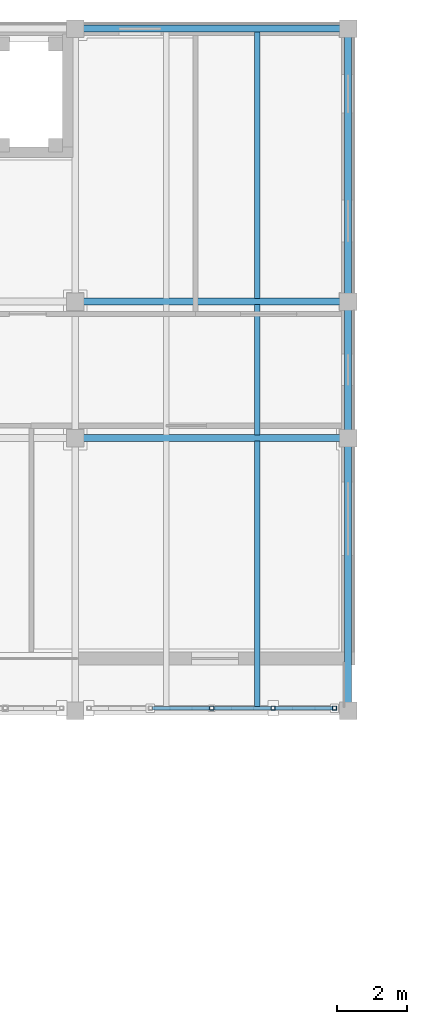
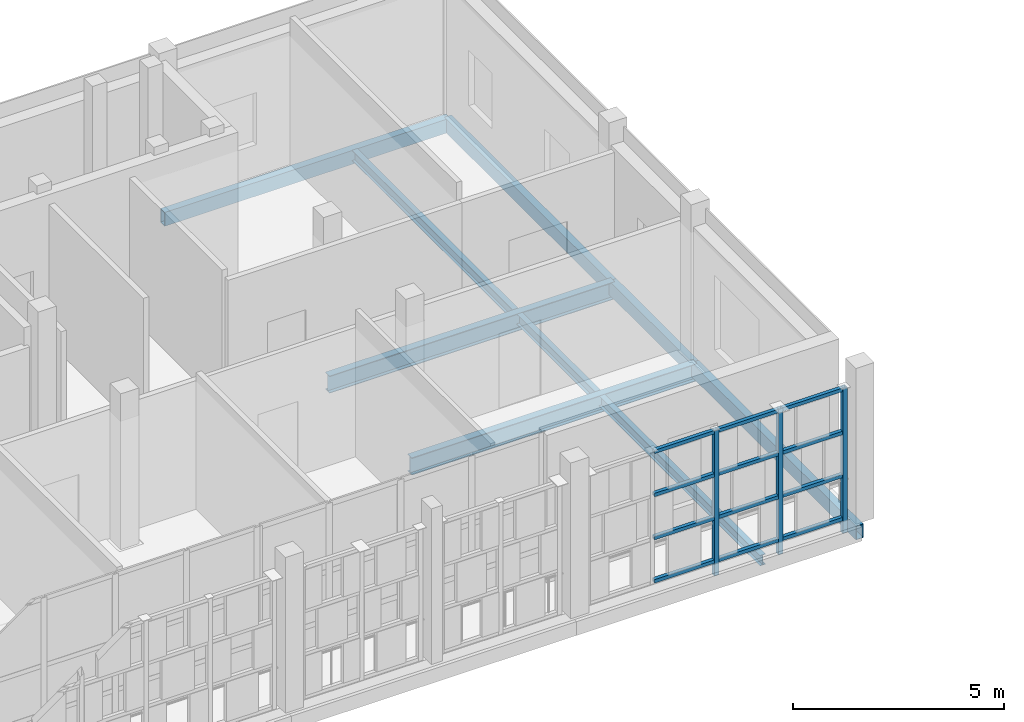
# One storey, part 43 of 89: 15 members, 9 beams.
"""IFC4 building model written with IfcOpenShell, lengths in metres."""

from ifc_helpers import new_model, si_unit, direction, frame, origin, origin_2d, place, context, subcontext, project, spatial, hollow_rectangle, i_section, extrude, material, material_profile, profile_set, type_object, element, save


model = new_model("IFC4")

# Units and contexts
model_context = context("Model", 3, precision=1e-05, world=origin(), true_north=direction((0.0, 1.0)))
body_context = subcontext(model_context, "Body", "Model", "MODEL_VIEW")
ifc_project = project(units=[si_unit("LENGTHUNIT", "METRE"), si_unit("AREAUNIT", "SQUARE_METRE"), si_unit("VOLUMEUNIT", "CUBIC_METRE"), si_unit("PLANEANGLEUNIT", "RADIAN"), si_unit("MASSUNIT", "GRAM", prefix="KILO")], contexts=[model_context])

# Site, building, storey
site_placement = place(None, origin())
site = spatial("IfcSite", under=ifc_project, at=site_placement, CompositionType="ELEMENT")
building_placement = place(site_placement, origin())
building = spatial("IfcBuilding", under=site, at=building_placement, Name="Celorna Specialist Clinic", CompositionType="ELEMENT")
storey_placement = place(building_placement, frame((0.0, 0.0, 14.10009765625)))
storey = spatial("IfcBuildingStorey", under=building, at=storey_placement, Name="L03", CompositionType="ELEMENT", Elevation=14.10009765625)

# Beams
ifc_material = material(Name="Steel S355", Category="steel")
ifc_material_profile_1 = material_profile(ifc_material, i_section(OverallWidth=0.199951171875, OverallDepth=0.5, WebThickness=0.01025390625, FlangeThickness=0.01611328125, at=origin_2d()), Name="IPE 500")
ifc_profile_set_1 = profile_set([ifc_material_profile_1], Name="Steel S355")
beam_type_1 = type_object("IfcBeamType", Name="BM-08", PredefinedType="BEAM", material=ifc_profile_set_1)
for number, where, z_axis, x_axis, name in (
    (1, (124.800048828125, 104.300048828125, -0.510009765625), (1.0, 0.0, 0.0), (0.0, 1.0, 0.0), "Primary girder BM-08 #1222"),
    (2, (124.800048828125, 108.199951171875, -0.510009765625), (1.0, 0.0, 0.0), (0.0, 1.0, 0.0), "Primary girder BM-08 #1233"),
):
    element("IfcBeam", number, at=place(storey_placement, frame(where, z_axis=z_axis, x_axis=x_axis)), inside=storey, type_object=beam_type_1, Name=name, PredefinedType="BEAM", context=body_context, shape_type="SweptSolid", body=[
        extrude(i_section(OverallWidth=0.199951171875, OverallDepth=0.5, WebThickness=0.01025390625, FlangeThickness=0.01611328125, at=origin_2d()), origin(), (0.0, 0.0, 1.0), 7.800048828125),
    ])
ifc_material_profile_2 = material_profile(ifc_material, i_section(OverallWidth=0.14990234375, OverallDepth=0.300048828125, WebThickness=0.007080078125, FlangeThickness=0.0107421875, at=origin_2d()), Name="IPE 300")
ifc_profile_set_2 = profile_set([ifc_material_profile_2], Name="Steel S355")
beam_type_2 = type_object("IfcBeamType", Name="BM-13", PredefinedType="JOIST", material=ifc_profile_set_2)
beam_1_placement = place(storey_placement, frame((130.0, 96.587890625, -0.41015625), z_axis=(0.0, 1.0, 0.0), x_axis=(-1.0, 0.0, 0.0)))
element("IfcBeam", 3, at=beam_1_placement, inside=storey, type_object=beam_type_2, Name="Secondary floor joist BM-13 #1334", PredefinedType="JOIST", context=body_context, shape_type="SweptSolid", body=[
    extrude(i_section(OverallWidth=0.14990234375, OverallDepth=0.300048828125, WebThickness=0.007080078125, FlangeThickness=0.0107421875, at=origin_2d()), origin(), (0.0, 0.0, 1.0), 7.6240234375),
])
beam_2_placement = place(storey_placement, frame((130.0, 104.387939453125, -0.41015625), z_axis=(0.0, 1.0, 0.0), x_axis=(-1.0, 0.0, 0.0)))
element("IfcBeam", 4, at=beam_2_placement, inside=storey, type_object=beam_type_2, Name="Secondary floor joist BM-13 #1336", PredefinedType="JOIST", context=body_context, shape_type="SweptSolid", body=[
    extrude(i_section(OverallWidth=0.14990234375, OverallDepth=0.300048828125, WebThickness=0.007080078125, FlangeThickness=0.0107421875, at=origin_2d()), origin(), (0.0, 0.0, 1.0), 3.72412109375),
])
beam_3_placement = place(storey_placement, frame((130.0, 108.2880859375, -0.41015625), z_axis=(0.0, 1.0, 0.0), x_axis=(-1.0, 0.0, 0.0)))
element("IfcBeam", 5, at=beam_3_placement, inside=storey, type_object=beam_type_2, Name="Secondary floor joist BM-13 #1338", PredefinedType="JOIST", context=body_context, shape_type="SweptSolid", body=[
    extrude(i_section(OverallWidth=0.14990234375, OverallDepth=0.300048828125, WebThickness=0.007080078125, FlangeThickness=0.0107421875, at=origin_2d()), origin(), (0.0, 0.0, 1.0), 7.6240234375),
])
ifc_material_profile_3 = material_profile(ifc_material, hollow_rectangle(XDim=0.199951171875, YDim=0.39990234375, WallThickness=0.011962890625, at=origin_2d()), Name="RHS 200x400x12")
ifc_profile_set_3 = profile_set([ifc_material_profile_3], Name="Steel S355")
beam_type_3 = type_object("IfcBeamType", Name="BM-15", PredefinedType="SPANDREL", material=ifc_profile_set_3)
for number, where, z_axis, x_axis, name in (
    (6, (124.800048828125, 116.0, -0.460205078125), (1.0, 0.0, 0.0), (0.0, 1.0, 0.0), "Spandrel beam BM-15 #1244"),
    (7, (132.60009765625, 96.5, -0.460205078125), (0.0, 1.0, 0.0), (-1.0, 0.0, 0.0), "Spandrel beam BM-15 #1278"),
):
    element("IfcBeam", number, at=place(storey_placement, frame(where, z_axis=z_axis, x_axis=x_axis)), inside=storey, type_object=beam_type_3, Name=name, PredefinedType="SPANDREL", context=body_context, shape_type="SweptSolid", body=[
        extrude(hollow_rectangle(XDim=0.199951171875, YDim=0.39990234375, WallThickness=0.011962890625, at=origin_2d()), origin(), (0.0, 0.0, 1.0), 7.800048828125),
    ])
beam_4_placement = place(storey_placement, frame((132.60009765625, 104.300048828125, -0.460205078125), z_axis=(0.0, 1.0, 0.0), x_axis=(-1.0, 0.0, 0.0)))
element("IfcBeam", 8, at=beam_4_placement, inside=storey, type_object=beam_type_3, Name="Spandrel beam BM-15 #1279", PredefinedType="SPANDREL", context=body_context, shape_type="SweptSolid", body=[
    extrude(hollow_rectangle(XDim=0.199951171875, YDim=0.39990234375, WallThickness=0.011962890625, at=origin_2d()), origin(), (0.0, 0.0, 1.0), 3.89990234375),
])
beam_5_placement = place(storey_placement, frame((132.60009765625, 108.199951171875, -0.460205078125), z_axis=(0.0, 1.0, 0.0), x_axis=(-1.0, 0.0, 0.0)))
element("IfcBeam", 9, at=beam_5_placement, inside=storey, type_object=beam_type_3, Name="Spandrel beam BM-15 #1280", PredefinedType="SPANDREL", context=body_context, shape_type="SweptSolid", body=[
    extrude(hollow_rectangle(XDim=0.199951171875, YDim=0.39990234375, WallThickness=0.011962890625, at=origin_2d()), origin(), (0.0, 0.0, 1.0), 7.800048828125),
])

# Members
ifc_material_profile_4 = material_profile(ifc_material, hollow_rectangle(XDim=0.1201171875, YDim=0.1201171875, WallThickness=0.008056640625, at=origin_2d()), Name="SHS 120x120x8")
ifc_profile_set_4 = profile_set([ifc_material_profile_4], Name="Steel S355")
member_type_1 = type_object("IfcMemberType", Name="MB-11", PredefinedType="STUD", material=ifc_profile_set_4)
for number, where, z_axis, x_axis, name in (
    (10, (128.699951171875, 96.580078125, -0.360107421875), (0.0, 0.0, 1.0), (1.0, 0.0, 0.0), "Perforated screen steel post #1446"),
    (11, (130.455078125, 96.580078125, -0.360107421875), (0.0, 0.0, 1.0), (1.0, 0.0, 0.0), "Perforated screen steel post #1447"),
    (12, (132.2099609375, 96.580078125, -0.360107421875), (0.0, 0.0, 1.0), (1.0, 0.0, 0.0), "Perforated screen steel post #1448"),
):
    element("IfcMember", number, at=place(storey_placement, frame(where, z_axis=z_axis, x_axis=x_axis)), inside=storey, type_object=member_type_1, Name=name, PredefinedType="STUD", context=body_context, shape_type="SweptSolid", body=[
        extrude(hollow_rectangle(XDim=0.1201171875, YDim=0.1201171875, WallThickness=0.008056640625, at=origin_2d()), origin(), (0.0, 0.0, 1.0), 4.199951171875),
    ])
ifc_material_profile_5 = material_profile(ifc_material, hollow_rectangle(XDim=0.10009765625, YDim=0.10009765625, WallThickness=0.006103515625, at=origin_2d()), Name="SHS 100x100x6")
ifc_profile_set_5 = profile_set([ifc_material_profile_5], Name="Steel S355")
member_type_2 = type_object("IfcMemberType", Name="MB-12", PredefinedType="STUD", material=ifc_profile_set_5)
for number, where, z_axis, x_axis, name in (
    (13, (127.0048828125, 96.580078125, 0.0498046875), (1.0, 0.0, 0.0), (0.0, 1.0, 0.0), "Perforated screen rail #1453"),
    (14, (127.0048828125, 96.580078125, 1.296630859375), (1.0, 0.0, 0.0), (0.0, 1.0, 0.0), "Perforated screen rail #1454"),
    (15, (127.0048828125, 96.580078125, 2.543212890625), (1.0, 0.0, 0.0), (0.0, 1.0, 0.0), "Perforated screen rail #1455"),
    (16, (127.0048828125, 96.580078125, 3.789794921875), (1.0, 0.0, 0.0), (0.0, 1.0, 0.0), "Perforated screen rail #1456"),
    (17, (128.760009765625, 96.580078125, 0.0498046875), (1.0, 0.0, 0.0), (0.0, 1.0, 0.0), "Perforated screen rail #1457"),
    (18, (128.760009765625, 96.580078125, 1.296630859375), (1.0, 0.0, 0.0), (0.0, 1.0, 0.0), "Perforated screen rail #1458"),
    (19, (128.760009765625, 96.580078125, 2.543212890625), (1.0, 0.0, 0.0), (0.0, 1.0, 0.0), "Perforated screen rail #1459"),
    (20, (128.760009765625, 96.580078125, 3.789794921875), (1.0, 0.0, 0.0), (0.0, 1.0, 0.0), "Perforated screen rail #1460"),
    (21, (130.514892578125, 96.580078125, 0.0498046875), (1.0, 0.0, 0.0), (0.0, 1.0, 0.0), "Perforated screen rail #1461"),
    (22, (130.514892578125, 96.580078125, 1.296630859375), (1.0, 0.0, 0.0), (0.0, 1.0, 0.0), "Perforated screen rail #1462"),
    (23, (130.514892578125, 96.580078125, 2.543212890625), (1.0, 0.0, 0.0), (0.0, 1.0, 0.0), "Perforated screen rail #1463"),
    (24, (130.514892578125, 96.580078125, 3.789794921875), (1.0, 0.0, 0.0), (0.0, 1.0, 0.0), "Perforated screen rail #1464"),
):
    element("IfcMember", number, at=place(storey_placement, frame(where, z_axis=z_axis, x_axis=x_axis)), inside=storey, type_object=member_type_2, Name=name, PredefinedType="STUD", context=body_context, shape_type="SweptSolid", body=[
        extrude(hollow_rectangle(XDim=0.10009765625, YDim=0.10009765625, WallThickness=0.006103515625, at=origin_2d()), origin(), (0.0, 0.0, 1.0), 1.635009765625),
    ])

save(model, "model.ifc")
